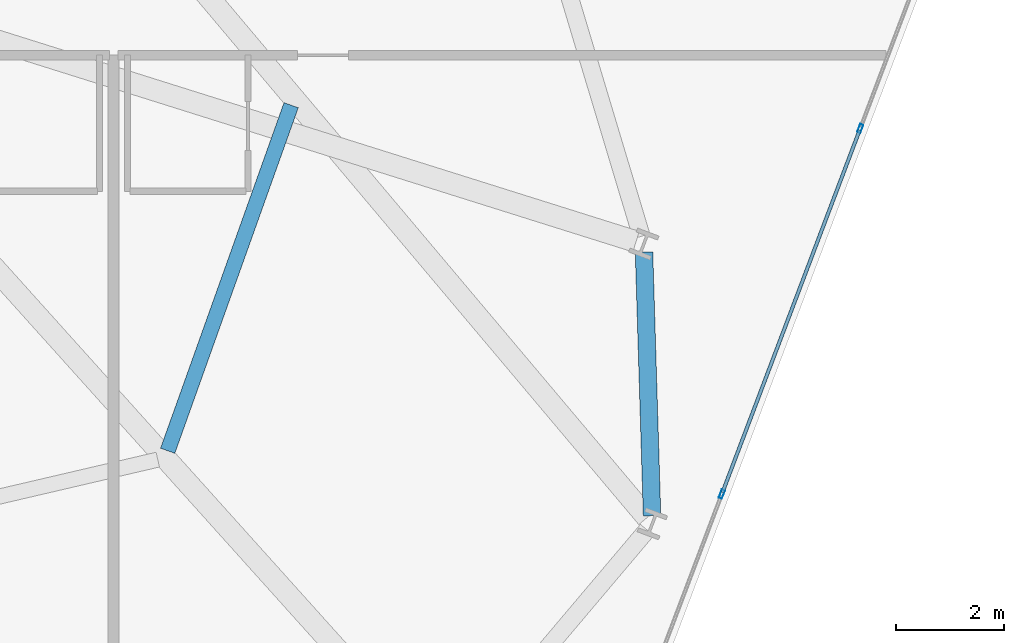
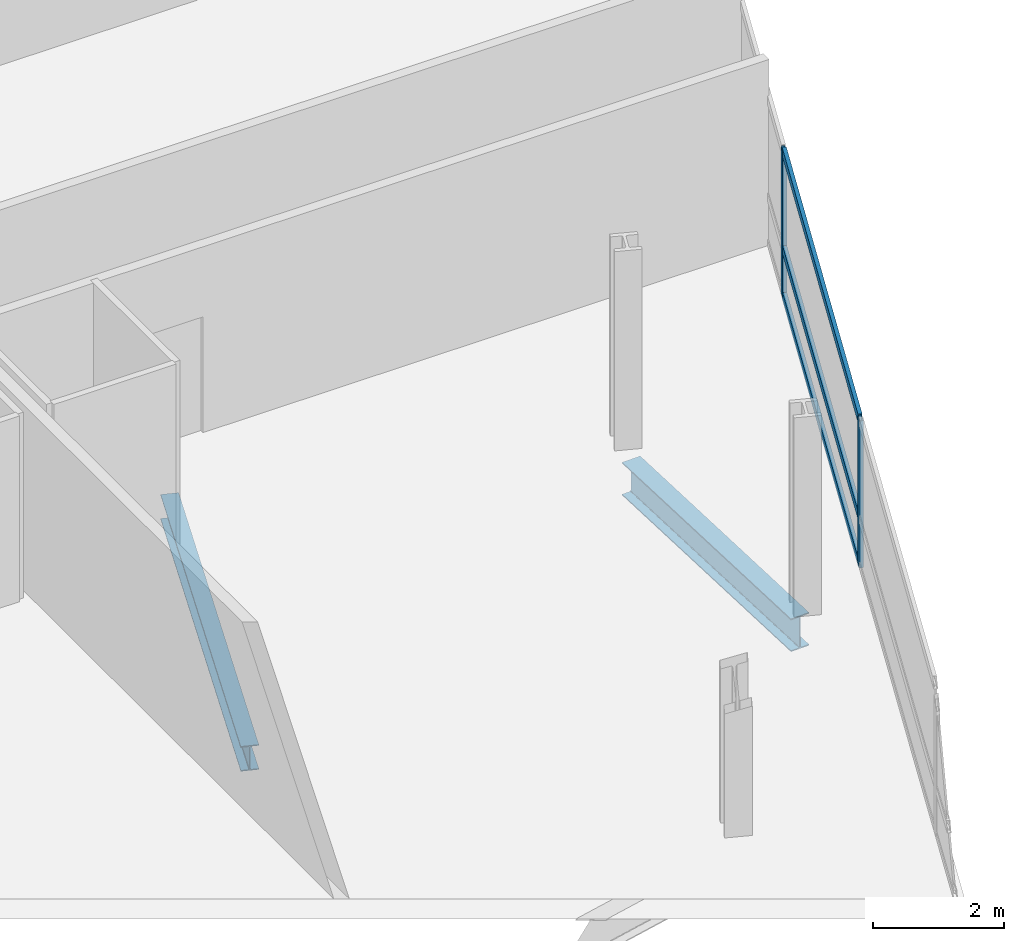
# One storey, part 12 of 25: 5 members, 2 beams, 1 element without a shape of its own.
"""IFC4 building model written with IfcOpenShell, lengths in metres."""

import ifcopenshell
import ifcopenshell.guid

model = None  # the IFC model being written
_history = None  # IfcOwnerHistory: only IFC2X3 demands one
_inside = {}  # id of a spatial element -> (the spatial element, [elements in it])
_under = {}  # id of a project, library or spatial element -> (it, [spatial elements below it])
_declared = {}  # id of a project -> (the project, [libraries it declares])
_typed = {}  # id of a type object -> (the type object, [elements of that type])
_made_of = {}  # id of a material, layer set ... -> (it, [elements and type objects made of it])


def new_model(schema):
    """Start an empty IFC model of exactly this schema.

    Asked for "IFC4X3", IfcOpenShell would pick the latest addendum, in which some entities
    have other attributes; the version numbers below select the first issue.
    IFC2X3 requires an IfcOwnerHistory on every rooted entity: one is made here for all.
    """
    global model, _history
    if schema == "IFC4X3":
        model = ifcopenshell.file(schema_version=(4, 3, 0, 0))
    else:
        model = ifcopenshell.file(schema=schema)
    _inside.clear()
    _under.clear()
    _declared.clear()
    _typed.clear()
    _made_of.clear()
    _history = None
    if model.schema == "IFC2X3":
        org = make("IfcOrganization", Name="unknown")
        user = make(
            "IfcPersonAndOrganization",
            ThePerson=make("IfcPerson", FamilyName="unknown"),
            TheOrganization=org,
        )
        app = make(
            "IfcApplication",
            ApplicationDeveloper=org,
            Version="unknown",
            ApplicationFullName="unknown",
            ApplicationIdentifier="unknown",
        )
        _history = make(
            "IfcOwnerHistory",
            OwningUser=user,
            OwningApplication=app,
            ChangeAction="ADDED",
            CreationDate=0,
        )
    return model


def make(cls, **values):
    """One entity of the class cls with the attributes given. An attribute that is None is left unset."""
    return model.create_entity(
        cls, **{name: value for name, value in values.items() if value is not None}
    )


def rooted(cls, **values):
    """An entity with a GlobalId (a new one), such as an element, a storey or a relation."""
    return make(cls, GlobalId=ifcopenshell.guid.new(), OwnerHistory=_history, **values)


def si_unit(unit_type, name, prefix=None):
    """IfcSIUnit, for example si_unit("LENGTHUNIT", "METRE", prefix="MILLI")."""
    return make("IfcSIUnit", UnitType=unit_type, Prefix=prefix, Name=name)


def assignment(units):
    """IfcUnitAssignment: the units of a project."""
    return None if units is None else make("IfcUnitAssignment", Units=units)


def point(xyz):
    """IfcCartesianPoint."""
    return None if xyz is None else make("IfcCartesianPoint", Coordinates=xyz)


def direction(xyz):
    """IfcDirection."""
    return None if xyz is None else make("IfcDirection", DirectionRatios=xyz)


def frame(location, z_axis=None, x_axis=None):
    """IfcAxis2Placement3D, a coordinate frame: its origin and axes. An axis left out is left unset."""
    return make(
        "IfcAxis2Placement3D",
        Location=point(location),
        Axis=direction(z_axis),
        RefDirection=direction(x_axis),
    )


def frame_2d(location, x_axis=None):
    """IfcAxis2Placement2D, a coordinate frame in the plane: its origin and x axis."""
    return make(
        "IfcAxis2Placement2D", Location=point(location), RefDirection=direction(x_axis)
    )


def origin():
    """The frame at (0, 0, 0) with its axes left unset."""
    return frame((0.0, 0.0, 0.0))


def origin_2d():
    """The frame at (0, 0) in the plane with its x axis left unset."""
    return frame_2d((0.0, 0.0))


def place(relative_to, where):
    """IfcLocalPlacement: puts the frame where relative to a parent placement (None: the world)."""
    return make(
        "IfcLocalPlacement", PlacementRelTo=relative_to, RelativePlacement=where
    )


def context(
    kind, dimensions, precision=None, world=None, true_north=None, identifier=None
):
    """IfcGeometricRepresentationContext, for example the 3D "Model" context."""
    return make(
        "IfcGeometricRepresentationContext",
        ContextIdentifier=identifier,
        ContextType=kind,
        CoordinateSpaceDimension=dimensions,
        Precision=precision,
        WorldCoordinateSystem=world,
        TrueNorth=true_north,
    )


def subcontext(parent, identifier, kind, view, scale=None):
    """IfcGeometricRepresentationSubContext, for example "Body" below "Model"."""
    return make(
        "IfcGeometricRepresentationSubContext",
        ContextIdentifier=identifier,
        ContextType=kind,
        ParentContext=parent,
        TargetScale=scale,
        TargetView=view,
    )


def project(units=None, contexts=None):
    """IfcProject with its units and contexts."""
    return rooted(
        "IfcProject",
        Name="project",
        RepresentationContexts=contexts,
        UnitsInContext=assignment(units),
    )


def spatial(cls, under=None, at=None, **own):
    """A site, building, storey or space (cls), placed at a placement, below another one or the project."""
    s = rooted(cls, ObjectPlacement=at, **own)
    if under is not None:
        _under.setdefault(under.id(), (under, []))[1].append(s)
    return s


def profile(cls, at=None, kind="AREA", **sizes):
    """A parametric profile (cls). Its sizes go by their IFC names, for example OverallWidth=200.0."""
    return make(cls, ProfileType=kind, Position=at, **sizes)


def hollow_rectangle(**sizes):
    """IfcRectangleHollowProfileDef."""
    return profile("IfcRectangleHollowProfileDef", **sizes)


def i_section(**sizes):
    """IfcIShapeProfileDef."""
    return profile("IfcIShapeProfileDef", **sizes)


def extrude(swept, where, along, depth):
    """IfcExtrudedAreaSolid: the profile swept, set in the frame where, extruded along a direction by depth."""
    return make(
        "IfcExtrudedAreaSolid",
        SweptArea=swept,
        Position=where,
        ExtrudedDirection=direction(along),
        Depth=depth,
    )


def shape(context_of_items, identifier, shape_type, items):
    """IfcShapeRepresentation: the items that make up one representation, for example the "Body"."""
    return make(
        "IfcShapeRepresentation",
        ContextOfItems=context_of_items,
        RepresentationIdentifier=identifier,
        RepresentationType=shape_type,
        Items=items,
    )


def material(Name=None, Category=None):
    """IfcMaterial."""
    return make("IfcMaterial", Name=Name, Category=Category)


def layer(
    of_material, thickness, ventilated=None, Name=None, Category=None, Priority=None
):
    """IfcMaterialLayer: one layer of a wall or slab, of a material (None: an air gap)."""
    return make(
        "IfcMaterialLayer",
        Material=of_material,
        LayerThickness=thickness,
        IsVentilated=ventilated,
        Name=Name,
        Category=Category,
        Priority=Priority,
    )


def layer_set(layers, Name=None):
    """IfcMaterialLayerSet."""
    return make("IfcMaterialLayerSet", MaterialLayers=layers, LayerSetName=Name)


def material_profile(
    of_material, cross_section, Name=None, Category=None, Priority=None
):
    """IfcMaterialProfile: a cross section and its material."""
    return make(
        "IfcMaterialProfile",
        Name=Name,
        Material=of_material,
        Profile=cross_section,
        Priority=Priority,
        Category=Category,
    )


def profile_set(profiles, Name=None, composite=None):
    """IfcMaterialProfileSet."""
    return make(
        "IfcMaterialProfileSet",
        Name=Name,
        MaterialProfiles=profiles,
        CompositeProfile=composite,
    )


def made_of(thing, what):
    """Note that an element or type object is made of a material, layer set ...; save() writes the relation."""
    if what is not None:
        _made_of.setdefault(what.id(), (what, []))[1].append(thing)
    return thing


def type_object(cls, material=None, **own):
    """A type object (cls), such as IfcWallType, which elements share."""
    return made_of(rooted(cls, **own), material)


def element(
    cls,
    number,
    at=None,
    inside=None,
    cuts=None,
    type_object=None,
    material=None,
    context=None,
    identifier="Body",
    shape_type=None,
    held_by="IfcProductDefinitionShape",
    body=None,
    shapes=None,
    **own,
):
    """One element of the class cls, such as IfcWall. Its Tag is "e" and its number.

    at: its placement. inside: the storey or other place that contains it. cuts: it is an
    opening in that element (IfcRelVoidsElement). A single representation is given by context,
    identifier, shape_type and body (its items); several are given by shapes. held_by: the class
    of the entity that holds the representations. save() writes the other relations.
    """
    e = rooted(cls, Tag="e%d" % number, ObjectPlacement=at, **own)
    if body is not None:
        shapes = [shape(context, identifier, shape_type, body)]
    if shapes is not None:
        e.Representation = make(held_by, Representations=shapes)
    if inside is not None:
        _inside.setdefault(inside.id(), (inside, []))[1].append(e)
    if cuts is not None:
        rooted(
            "IfcRelVoidsElement", RelatingBuildingElement=cuts, RelatedOpeningElement=e
        )
    if type_object is not None:
        _typed.setdefault(type_object.id(), (type_object, []))[1].append(e)
    return made_of(e, material)


def aggregate(whole, parts):
    """IfcRelAggregates: a whole, such as a stair, and the parts it consists of."""
    return rooted("IfcRelAggregates", RelatingObject=whole, RelatedObjects=parts)


def save(model, path):
    """Write the relations noted so far, then the file.

    IfcRelAggregates (storeys below a building ...), IfcRelContainedInSpatialStructure (elements
    in a storey), IfcRelDefinesByType, IfcRelAssociatesMaterial and IfcRelDeclares: one each for
    every whole, place, type object, material and project.
    """
    for whole, parts in _under.values():
        aggregate(whole, parts)
    for where, things in _inside.values():
        rooted(
            "IfcRelContainedInSpatialStructure",
            RelatedElements=things,
            RelatingStructure=where,
        )
    for kind, things in _typed.values():
        rooted("IfcRelDefinesByType", RelatedObjects=things, RelatingType=kind)
    for what, things in _made_of.values():
        rooted("IfcRelAssociatesMaterial", RelatedObjects=things, RelatingMaterial=what)
    for by, libraries in _declared.values():
        rooted("IfcRelDeclares", RelatingContext=by, RelatedDefinitions=libraries)
    model.write(path)


model = new_model("IFC4")

# Units and contexts
model_context = context("Model", 3, precision=1e-05, world=origin(), true_north=direction((0.0, 1.0)))
body_context = subcontext(model_context, "Body", "Model", "MODEL_VIEW")
ifc_project = project(units=[si_unit("LENGTHUNIT", "METRE"), si_unit("AREAUNIT", "SQUARE_METRE"), si_unit("VOLUMEUNIT", "CUBIC_METRE"), si_unit("PLANEANGLEUNIT", "RADIAN"), si_unit("MASSUNIT", "GRAM", prefix="KILO")], contexts=[model_context])

# Site, building, storey
site_placement = place(None, origin())
site = spatial("IfcSite", under=ifc_project, at=site_placement, CompositionType="ELEMENT")
building_placement = place(site_placement, origin())
building = spatial("IfcBuilding", under=site, at=building_placement, Name="Varnelok Gate Tower", CompositionType="ELEMENT")
storey_placement = place(building_placement, frame((0.0, 0.0, 76.199951171875)))
storey = spatial("IfcBuildingStorey", under=building, at=storey_placement, Name="L18", CompositionType="ELEMENT", Elevation=76.199951171875)

# Beams
ifc_material_1 = material(Name="Structural Steel ASTM A992 Grade 50", Category="steel")
ifc_material_profile_1 = material_profile(ifc_material_1, i_section(OverallWidth=0.280029296875, OverallDepth=0.462890625, WebThickness=0.0107421875, FlangeThickness=0.017333984375, FilletRadius=0.014892578125, at=origin_2d()), Name="W18X76")
ifc_profile_set_1 = profile_set([ifc_material_profile_1], Name="Structural Steel ASTM A992 Grade 50")
beam_type_1 = type_object("IfcBeamType", Name="BM-JST-W18X76", PredefinedType="JOIST", material=ifc_profile_set_1)
beam_1_placement = place(storey_placement, frame((62.501953125, 9.52490234375, -0.4814453125), z_axis=(0.336427424341, 0.941709396869, 0.0), x_axis=(-0.941709396869, 0.336427424341, 0.0)))
element("IfcBeam", 1, at=beam_1_placement, inside=storey, type_object=beam_type_1, Name="L18 Sector Floor Joist 6", PredefinedType="JOIST", context=body_context, shape_type="SweptSolid", body=[
    extrude(i_section(OverallWidth=0.280029296875, OverallDepth=0.462890625, WebThickness=0.0107421875, FlangeThickness=0.017333984375, FilletRadius=0.014892578125, at=origin_2d()), origin(), (0.0, 0.0, 1.0), 6.796142578125),
])
ifc_material_profile_2 = material_profile(ifc_material_1, i_section(OverallWidth=0.323974609375, OverallDepth=0.611083984375, WebThickness=0.0126953125, FlangeThickness=0.01904296875, FilletRadius=0.01806640625, at=origin_2d()), Name="W24X104")
ifc_profile_set_2 = profile_set([ifc_material_profile_2], Name="Structural Steel ASTM A992 Grade 50")
beam_type_2 = type_object("IfcBeamType", Name="BM-SPN-W24X104", PredefinedType="SPANDREL", material=ifc_profile_set_2)
beam_2_placement = place(storey_placement, frame((71.471923828125, 8.322509765625, -0.555419921875), z_axis=(-0.030393553869, 0.999538009224, 0.0), x_axis=(-0.999538009224, -0.030393553869, 0.0)))
element("IfcBeam", 2, at=beam_2_placement, inside=storey, type_object=beam_type_2, Name="L18 Perimeter Spandrel Beam 7", PredefinedType="SPANDREL", context=body_context, shape_type="SweptSolid", body=[
    extrude(i_section(OverallWidth=0.323974609375, OverallDepth=0.611083984375, WebThickness=0.0126953125, FlangeThickness=0.01904296875, FilletRadius=0.01806640625, at=origin_2d()), origin(), (0.0, 0.0, 1.0), 4.8837890625),
])

# Curtain wall, members
ifc_material_2 = material(Name="Anodized Aluminum Alloy 6063-T6", Category="aluminium")
ifc_layer = layer(ifc_material_2, 0.179931640625)
ifc_layer_set = layer_set([ifc_layer], Name="Anodized Aluminum Alloy 6063-T6")
curtain_wall_type = type_object("IfcCurtainWallType", Name="CW3-HOTEL-VISION", PredefinedType="USERDEFINED", material=ifc_layer_set)
curtain_wall_placement = place(storey_placement, origin())
curtain_wall = element("IfcCurtainWall", 3, at=curtain_wall_placement, inside=storey, type_object=curtain_wall_type, Name="L18 East End Vision Curtain Wall", ObjectType="UNITISED CURTAIN WALL", PredefinedType="USERDEFINED")
ifc_material_profile_3 = material_profile(ifc_material_2, hollow_rectangle(XDim=0.06494140625, YDim=0.159912109375, WallThickness=0.00390625, at=origin_2d()), Name="ALU160X65X4")
ifc_profile_set_3 = profile_set([ifc_material_profile_3], Name="Anodized Aluminum Alloy 6063-T6")
member_type_1 = type_object("IfcMemberType", Name="CW-MULL-160", PredefinedType="MULLION", material=ifc_profile_set_3)
member_1_placement = place(storey_placement, frame((75.328125, 15.4931640625, 0.0), z_axis=(0.0, 0.0, 1.0), x_axis=(0.935221323688, -0.354063660545, 0.0)))
member_1 = element("IfcMember", 4, at=member_1_placement, type_object=member_type_1, Name="CW3 mullion 3", PredefinedType="MULLION", context=body_context, shape_type="SweptSolid", body=[
    extrude(hollow_rectangle(XDim=0.06494140625, YDim=0.159912109375, WallThickness=0.00390625, at=origin_2d()), origin(), (0.0, 0.0, 1.0), 2.72998046875),
])
member_2_placement = place(storey_placement, frame((72.7646484375, 8.72216796875, 0.0), z_axis=(0.0, 0.0, 1.0), x_axis=(0.935221323688, -0.354063660545, 0.0)))
member_2 = element("IfcMember", 5, at=member_2_placement, type_object=member_type_1, Name="CW3 mullion 4", PredefinedType="MULLION", context=body_context, shape_type="SweptSolid", body=[
    extrude(hollow_rectangle(XDim=0.06494140625, YDim=0.159912109375, WallThickness=0.00390625, at=origin_2d()), origin(), (0.0, 0.0, 1.0), 2.72998046875),
])
ifc_material_profile_4 = material_profile(ifc_material_2, hollow_rectangle(XDim=0.06494140625, YDim=0.159912109375, WallThickness=0.00390625, at=origin_2d()), Name="ALU160X65X4")
ifc_profile_set_4 = profile_set([ifc_material_profile_4], Name="Anodized Aluminum Alloy 6063-T6")
member_type_2 = type_object("IfcMemberType", Name="CW-TRAN-160", PredefinedType="USERDEFINED", material=ifc_profile_set_4)
member_3_placement = place(storey_placement, frame((75.316650390625, 15.462646484375, 0.032470703125), z_axis=(-0.354078724634, -0.935215620465, 0.0), x_axis=(0.935215620465, -0.354078724634, 0.0)))
member_3 = element("IfcMember", 6, at=member_3_placement, type_object=member_type_2, Name="CW3 transom 3.1", ObjectType="TRANSOM", PredefinedType="USERDEFINED", context=body_context, shape_type="SweptSolid", body=[
    extrude(hollow_rectangle(XDim=0.06494140625, YDim=0.159912109375, WallThickness=0.00390625, at=origin_2d()), origin(), (0.0, 0.0, 1.0), 7.175048828125),
])
member_4_placement = place(storey_placement, frame((75.316650390625, 15.462646484375, 0.900146484375), z_axis=(-0.354078724634, -0.935215620465, 0.0), x_axis=(0.935215620465, -0.354078724634, 0.0)))
member_4 = element("IfcMember", 7, at=member_4_placement, type_object=member_type_2, Name="CW3 transom 3.2", ObjectType="TRANSOM", PredefinedType="USERDEFINED", context=body_context, shape_type="SweptSolid", body=[
    extrude(hollow_rectangle(XDim=0.06494140625, YDim=0.159912109375, WallThickness=0.00390625, at=origin_2d()), origin(), (0.0, 0.0, 1.0), 7.175048828125),
])
member_5_placement = place(storey_placement, frame((75.316650390625, 15.462646484375, 2.697509765625), z_axis=(-0.354078724634, -0.935215620465, 0.0), x_axis=(0.935215620465, -0.354078724634, 0.0)))
member_5 = element("IfcMember", 8, at=member_5_placement, type_object=member_type_2, Name="CW3 transom 3.3", ObjectType="TRANSOM", PredefinedType="USERDEFINED", context=body_context, shape_type="SweptSolid", body=[
    extrude(hollow_rectangle(XDim=0.06494140625, YDim=0.159912109375, WallThickness=0.00390625, at=origin_2d()), origin(), (0.0, 0.0, 1.0), 7.175048828125),
])
aggregate(curtain_wall, [member_1, member_2, member_3, member_4, member_5])

save(model, "model.ifc")
